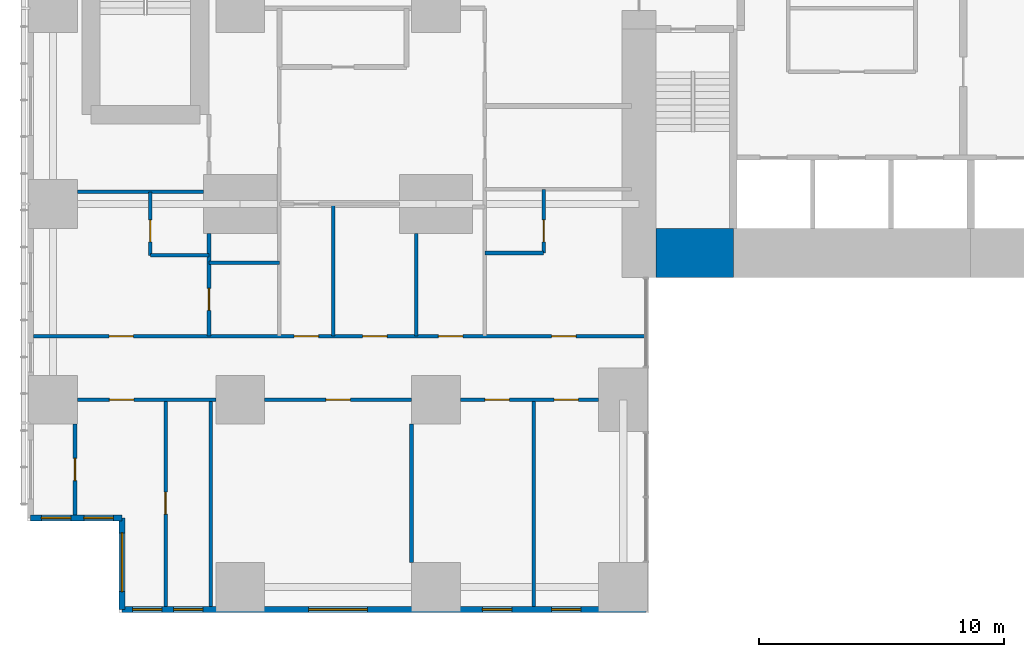
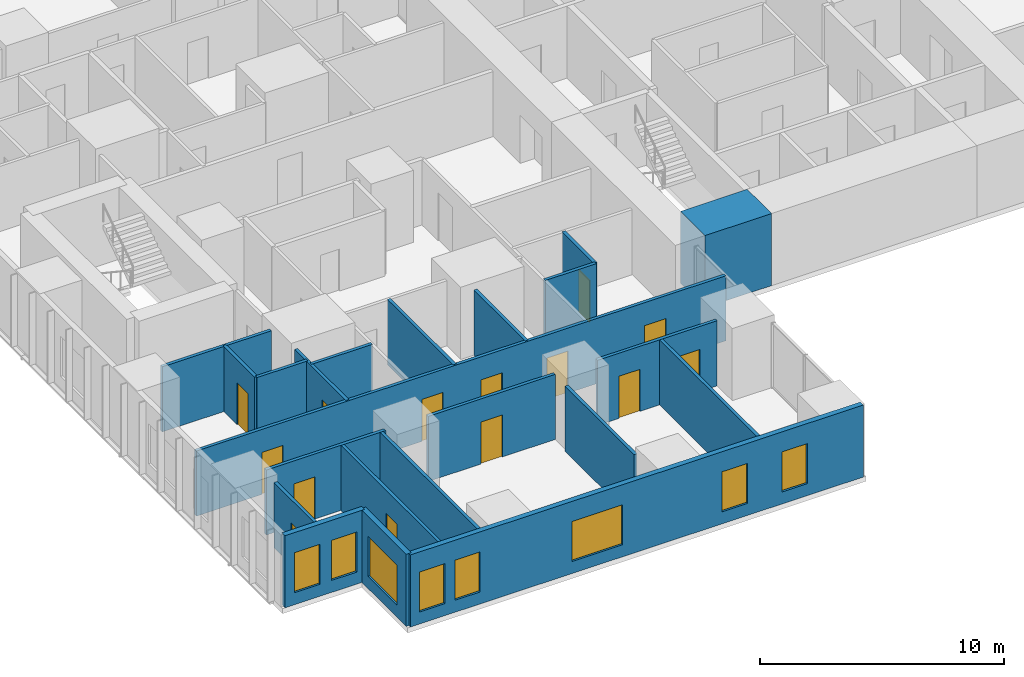
# One storey, part 12 of 20: 22 walls, 14 doors, 8 windows, 22 openings.
"""IFC4 building model written with IfcOpenShell, lengths in metres."""

import ifcopenshell
import ifcopenshell.guid

model = None  # the IFC model being written
_history = None  # IfcOwnerHistory: only IFC2X3 demands one
_inside = {}  # id of a spatial element -> (the spatial element, [elements in it])
_under = {}  # id of a project, library or spatial element -> (it, [spatial elements below it])
_declared = {}  # id of a project -> (the project, [libraries it declares])
_typed = {}  # id of a type object -> (the type object, [elements of that type])
_made_of = {}  # id of a material, layer set ... -> (it, [elements and type objects made of it])


def new_model(schema):
    """Start an empty IFC model of exactly this schema.

    Asked for "IFC4X3", IfcOpenShell would pick the latest addendum, in which some entities
    have other attributes; the version numbers below select the first issue.
    IFC2X3 requires an IfcOwnerHistory on every rooted entity: one is made here for all.
    """
    global model, _history
    if schema == "IFC4X3":
        model = ifcopenshell.file(schema_version=(4, 3, 0, 0))
    else:
        model = ifcopenshell.file(schema=schema)
    _inside.clear()
    _under.clear()
    _declared.clear()
    _typed.clear()
    _made_of.clear()
    _history = None
    if model.schema == "IFC2X3":
        org = make("IfcOrganization", Name="unknown")
        user = make(
            "IfcPersonAndOrganization",
            ThePerson=make("IfcPerson", FamilyName="unknown"),
            TheOrganization=org,
        )
        app = make(
            "IfcApplication",
            ApplicationDeveloper=org,
            Version="unknown",
            ApplicationFullName="unknown",
            ApplicationIdentifier="unknown",
        )
        _history = make(
            "IfcOwnerHistory",
            OwningUser=user,
            OwningApplication=app,
            ChangeAction="ADDED",
            CreationDate=0,
        )
    return model


def make(cls, **values):
    """One entity of the class cls with the attributes given. An attribute that is None is left unset."""
    return model.create_entity(
        cls, **{name: value for name, value in values.items() if value is not None}
    )


def rooted(cls, **values):
    """An entity with a GlobalId (a new one), such as an element, a storey or a relation."""
    return make(cls, GlobalId=ifcopenshell.guid.new(), OwnerHistory=_history, **values)


def si_unit(unit_type, name, prefix=None):
    """IfcSIUnit, for example si_unit("LENGTHUNIT", "METRE", prefix="MILLI")."""
    return make("IfcSIUnit", UnitType=unit_type, Prefix=prefix, Name=name)


def assignment(units):
    """IfcUnitAssignment: the units of a project."""
    return None if units is None else make("IfcUnitAssignment", Units=units)


def point(xyz):
    """IfcCartesianPoint."""
    return None if xyz is None else make("IfcCartesianPoint", Coordinates=xyz)


def direction(xyz):
    """IfcDirection."""
    return None if xyz is None else make("IfcDirection", DirectionRatios=xyz)


def frame(location, z_axis=None, x_axis=None):
    """IfcAxis2Placement3D, a coordinate frame: its origin and axes. An axis left out is left unset."""
    return make(
        "IfcAxis2Placement3D",
        Location=point(location),
        Axis=direction(z_axis),
        RefDirection=direction(x_axis),
    )


def frame_2d(location, x_axis=None):
    """IfcAxis2Placement2D, a coordinate frame in the plane: its origin and x axis."""
    return make(
        "IfcAxis2Placement2D", Location=point(location), RefDirection=direction(x_axis)
    )


def origin():
    """The frame at (0, 0, 0) with its axes left unset."""
    return frame((0.0, 0.0, 0.0))


def place(relative_to, where):
    """IfcLocalPlacement: puts the frame where relative to a parent placement (None: the world)."""
    return make(
        "IfcLocalPlacement", PlacementRelTo=relative_to, RelativePlacement=where
    )


def context(
    kind, dimensions, precision=None, world=None, true_north=None, identifier=None
):
    """IfcGeometricRepresentationContext, for example the 3D "Model" context."""
    return make(
        "IfcGeometricRepresentationContext",
        ContextIdentifier=identifier,
        ContextType=kind,
        CoordinateSpaceDimension=dimensions,
        Precision=precision,
        WorldCoordinateSystem=world,
        TrueNorth=true_north,
    )


def subcontext(parent, identifier, kind, view, scale=None):
    """IfcGeometricRepresentationSubContext, for example "Body" below "Model"."""
    return make(
        "IfcGeometricRepresentationSubContext",
        ContextIdentifier=identifier,
        ContextType=kind,
        ParentContext=parent,
        TargetScale=scale,
        TargetView=view,
    )


def project(units=None, contexts=None):
    """IfcProject with its units and contexts."""
    return rooted(
        "IfcProject",
        Name="project",
        RepresentationContexts=contexts,
        UnitsInContext=assignment(units),
    )


def spatial(cls, under=None, at=None, **own):
    """A site, building, storey or space (cls), placed at a placement, below another one or the project."""
    s = rooted(cls, ObjectPlacement=at, **own)
    if under is not None:
        _under.setdefault(under.id(), (under, []))[1].append(s)
    return s


def profile(cls, at=None, kind="AREA", **sizes):
    """A parametric profile (cls). Its sizes go by their IFC names, for example OverallWidth=200.0."""
    return make(cls, ProfileType=kind, Position=at, **sizes)


def rectangle(**sizes):
    """IfcRectangleProfileDef."""
    return profile("IfcRectangleProfileDef", **sizes)


def extrude(swept, where, along, depth):
    """IfcExtrudedAreaSolid: the profile swept, set in the frame where, extruded along a direction by depth."""
    return make(
        "IfcExtrudedAreaSolid",
        SweptArea=swept,
        Position=where,
        ExtrudedDirection=direction(along),
        Depth=depth,
    )


def shape(context_of_items, identifier, shape_type, items):
    """IfcShapeRepresentation: the items that make up one representation, for example the "Body"."""
    return make(
        "IfcShapeRepresentation",
        ContextOfItems=context_of_items,
        RepresentationIdentifier=identifier,
        RepresentationType=shape_type,
        Items=items,
    )


def material(Name=None, Category=None):
    """IfcMaterial."""
    return make("IfcMaterial", Name=Name, Category=Category)


def layer(
    of_material, thickness, ventilated=None, Name=None, Category=None, Priority=None
):
    """IfcMaterialLayer: one layer of a wall or slab, of a material (None: an air gap)."""
    return make(
        "IfcMaterialLayer",
        Material=of_material,
        LayerThickness=thickness,
        IsVentilated=ventilated,
        Name=Name,
        Category=Category,
        Priority=Priority,
    )


def layer_set(layers, Name=None):
    """IfcMaterialLayerSet."""
    return make("IfcMaterialLayerSet", MaterialLayers=layers, LayerSetName=Name)


def made_of(thing, what):
    """Note that an element or type object is made of a material, layer set ...; save() writes the relation."""
    if what is not None:
        _made_of.setdefault(what.id(), (what, []))[1].append(thing)
    return thing


def type_object(cls, material=None, **own):
    """A type object (cls), such as IfcWallType, which elements share."""
    return made_of(rooted(cls, **own), material)


def element(
    cls,
    number,
    at=None,
    inside=None,
    cuts=None,
    type_object=None,
    material=None,
    context=None,
    identifier="Body",
    shape_type=None,
    held_by="IfcProductDefinitionShape",
    body=None,
    shapes=None,
    **own,
):
    """One element of the class cls, such as IfcWall. Its Tag is "e" and its number.

    at: its placement. inside: the storey or other place that contains it. cuts: it is an
    opening in that element (IfcRelVoidsElement). A single representation is given by context,
    identifier, shape_type and body (its items); several are given by shapes. held_by: the class
    of the entity that holds the representations. save() writes the other relations.
    """
    e = rooted(cls, Tag="e%d" % number, ObjectPlacement=at, **own)
    if body is not None:
        shapes = [shape(context, identifier, shape_type, body)]
    if shapes is not None:
        e.Representation = make(held_by, Representations=shapes)
    if inside is not None:
        _inside.setdefault(inside.id(), (inside, []))[1].append(e)
    if cuts is not None:
        rooted(
            "IfcRelVoidsElement", RelatingBuildingElement=cuts, RelatedOpeningElement=e
        )
    if type_object is not None:
        _typed.setdefault(type_object.id(), (type_object, []))[1].append(e)
    return made_of(e, material)


def fill(opening, filler):
    """IfcRelFillsElement: the door or window that sits in an opening."""
    return rooted(
        "IfcRelFillsElement",
        RelatingOpeningElement=opening,
        RelatedBuildingElement=filler,
    )


def aggregate(whole, parts):
    """IfcRelAggregates: a whole, such as a stair, and the parts it consists of."""
    return rooted("IfcRelAggregates", RelatingObject=whole, RelatedObjects=parts)


def save(model, path):
    """Write the relations noted so far, then the file.

    IfcRelAggregates (storeys below a building ...), IfcRelContainedInSpatialStructure (elements
    in a storey), IfcRelDefinesByType, IfcRelAssociatesMaterial and IfcRelDeclares: one each for
    every whole, place, type object, material and project.
    """
    for whole, parts in _under.values():
        aggregate(whole, parts)
    for where, things in _inside.values():
        rooted(
            "IfcRelContainedInSpatialStructure",
            RelatedElements=things,
            RelatingStructure=where,
        )
    for kind, things in _typed.values():
        rooted("IfcRelDefinesByType", RelatedObjects=things, RelatingType=kind)
    for what, things in _made_of.values():
        rooted("IfcRelAssociatesMaterial", RelatedObjects=things, RelatingMaterial=what)
    for by, libraries in _declared.values():
        rooted("IfcRelDeclares", RelatingContext=by, RelatedDefinitions=libraries)
    model.write(path)


model = new_model("IFC4")

# Units and contexts
model_context = context("Model", 3, precision=1e-05, world=origin(), true_north=direction((0.0, 1.0)))
body_context = subcontext(model_context, "Body", "Model", "MODEL_VIEW")
ifc_project = project(units=[si_unit("LENGTHUNIT", "METRE"), si_unit("AREAUNIT", "SQUARE_METRE"), si_unit("VOLUMEUNIT", "CUBIC_METRE"), si_unit("PLANEANGLEUNIT", "RADIAN"), si_unit("MASSUNIT", "GRAM", prefix="KILO")], contexts=[model_context])

# Site, building, storey
site_placement = place(None, origin())
site = spatial("IfcSite", under=ifc_project, at=site_placement, CompositionType="ELEMENT")
building_placement = place(site_placement, origin())
building = spatial("IfcBuilding", under=site, at=building_placement, Name="Cleftline Residences", CompositionType="ELEMENT")
storey_placement = place(building_placement, frame((0.0, 0.0, 87.199951171875)))
storey = spatial("IfcBuildingStorey", under=building, at=storey_placement, Name="L22", CompositionType="ELEMENT", Elevation=87.199951171875)

# Wall
ifc_material_1 = material(Name="Concrete B70", Category="concrete")
ifc_layer_1 = layer(ifc_material_1, 2.0)
ifc_layer_set_1 = layer_set([ifc_layer_1], Name="CORE WALL 2000")
wall_type_1 = type_object("IfcWallType", Name="CORE WALL 2000", PredefinedType="SHEAR", material=ifc_layer_set_1)
wall_1_placement = place(storey_placement, frame((25.0, 14.0, 0.0), z_axis=(0.0, 0.0, 1.0), x_axis=(1.0, 0.0, 0.0)))
element("IfcWall", 1, at=wall_1_placement, inside=storey, type_object=wall_type_1, Name="Core wall S1", PredefinedType="SHEAR", context=body_context, shape_type="SweptSolid", body=[
    extrude(rectangle(XDim=3.14990234375, YDim=2.0, at=frame_2d((1.574951171875, 0.0))), origin(), (0.0, 0.0, 1.0), 3.60009765625),
])

# Wall, openings, windows
ifc_material_2 = material(Name="Rendered reinforced concrete blockwork", Category="masonry")
ifc_layer_2 = layer(ifc_material_2, 0.25)
ifc_layer_set_2 = layer_set([ifc_layer_2], Name="EXTERNAL WALL 250")
wall_type_2 = type_object("IfcWallType", Name="EXTERNAL WALL 250", PredefinedType="SOLIDWALL", material=ifc_layer_set_2)
wall_2_placement = place(storey_placement, frame((-0.574951171875, 3.175048828125, 0.0), z_axis=(0.0, 0.0, 1.0), x_axis=(1.0, 0.0, 0.0)))
wall_2 = element("IfcWall", 2, at=wall_2_placement, inside=storey, type_object=wall_type_2, Name="External wall", PredefinedType="SOLIDWALL", context=body_context, shape_type="SweptSolid", body=[
    extrude(rectangle(XDim=3.75, YDim=0.25, at=frame_2d((1.875, 0.0))), origin(), (0.0, 0.0, 1.0), 3.60009765625),
])
opening_1_placement = place(wall_2_placement, frame((0.449951171875, 0.0, 0.60009765625)))
opening_1 = element("IfcOpeningElement", 3, at=opening_1_placement, cuts=wall_2, Name="Opening W8", PredefinedType="OPENING", context=body_context, shape_type="SweptSolid", body=[
    extrude(rectangle(XDim=1.199951171875, YDim=2.0, at=frame_2d((0.60009765625, 1.0))), frame((0.0, 0.135009765625, 0.0), z_axis=(0.0, -1.0, 0.0), x_axis=(1.0, 0.0, 0.0)), (0.0, 0.0, 1.0), 0.27001953125),
])
opening_2_placement = place(wall_2_placement, frame((2.1875, 0.0, 0.60009765625)))
opening_2 = element("IfcOpeningElement", 4, at=opening_2_placement, cuts=wall_2, Name="Opening W8", PredefinedType="OPENING", context=body_context, shape_type="SweptSolid", body=[
    extrude(rectangle(XDim=1.199951171875, YDim=2.0, at=frame_2d((0.60009765625, 1.0))), frame((0.0, 0.135009765625, 0.0), z_axis=(0.0, -1.0, 0.0), x_axis=(1.0, 0.0, 0.0)), (0.0, 0.0, 1.0), 0.27001953125),
])
ifc_material_3 = material(Name="Aluminium frame, clear double glazing", Category="aluminium")
window_type_1 = type_object("IfcWindowType", Name="WINDOW 1200X2000", PartitioningType="DOUBLE_PANEL_VERTICAL", PredefinedType="WINDOW", material=ifc_material_3)
window_1_placement = place(opening_1_placement, origin())
window_1 = element("IfcWindow", 5, at=window_1_placement, inside=storey, type_object=window_type_1, Name="Window", OverallHeight=2.0, OverallWidth=1.199951171875, PartitioningType="SINGLE_PANEL", PredefinedType="WINDOW", context=body_context, shape_type="SweptSolid", body=[
    extrude(rectangle(XDim=1.199951171875, YDim=2.0, at=frame_2d((0.60009765625, 1.0))), frame((0.0, 0.030029296875, 0.0), z_axis=(0.0, -1.0, 0.0), x_axis=(1.0, 0.0, 0.0)), (0.0, 0.0, 1.0), 0.06005859375),
])
fill(opening_1, window_1)
window_2_placement = place(opening_2_placement, origin())
window_2 = element("IfcWindow", 6, at=window_2_placement, inside=storey, type_object=window_type_1, Name="Window", OverallHeight=2.0, OverallWidth=1.199951171875, PartitioningType="SINGLE_PANEL", PredefinedType="WINDOW", context=body_context, shape_type="SweptSolid", body=[
    extrude(rectangle(XDim=1.199951171875, YDim=2.0, at=frame_2d((0.60009765625, 1.0))), frame((0.0, 0.030029296875, 0.0), z_axis=(0.0, -1.0, 0.0), x_axis=(1.0, 0.0, 0.0)), (0.0, 0.0, 1.0), 0.06005859375),
])
fill(opening_2, window_2)

# Wall, opening, window
wall_3_placement = place(storey_placement, frame((3.175048828125, 3.175048828125, 0.0), z_axis=(0.0, 0.0, 1.0), x_axis=(0.0, -1.0, 0.0)))
wall_3 = element("IfcWall", 7, at=wall_3_placement, inside=storey, type_object=wall_type_2, Name="External wall", PredefinedType="SOLIDWALL", context=body_context, shape_type="SweptSolid", body=[
    extrude(rectangle(XDim=3.75, YDim=0.25, at=frame_2d((1.875, 0.0))), origin(), (0.0, 0.0, 1.0), 3.60009765625),
])
opening_3_placement = place(wall_3_placement, frame((0.612548828125, 0.0, 0.60009765625)))
opening_3 = element("IfcOpeningElement", 8, at=opening_3_placement, cuts=wall_3, Name="Opening W6", PredefinedType="OPENING", context=body_context, shape_type="SweptSolid", body=[
    extrude(rectangle(XDim=2.39990234375, YDim=2.0, at=frame_2d((1.199951171875, 1.0))), frame((0.0, 0.135009765625, 0.0), z_axis=(0.0, -1.0, 0.0), x_axis=(1.0, 0.0, 0.0)), (0.0, 0.0, 1.0), 0.27001953125),
])
ifc_material_4 = material(Name="Aluminium frame, clear double glazing", Category="aluminium")
window_type_2 = type_object("IfcWindowType", Name="WINDOW 2400X2000", PartitioningType="DOUBLE_PANEL_VERTICAL", PredefinedType="WINDOW", material=ifc_material_4)
window_3_placement = place(opening_3_placement, origin())
window_3 = element("IfcWindow", 9, at=window_3_placement, inside=storey, type_object=window_type_2, Name="Window", OverallHeight=2.0, OverallWidth=2.39990234375, PartitioningType="SINGLE_PANEL", PredefinedType="WINDOW", context=body_context, shape_type="SweptSolid", body=[
    extrude(rectangle(XDim=2.39990234375, YDim=2.0, at=frame_2d((1.199951171875, 1.0))), frame((0.0, 0.030029296875, 0.0), z_axis=(0.0, -1.0, 0.0), x_axis=(1.0, 0.0, 0.0)), (0.0, 0.0, 1.0), 0.06005859375),
])
fill(opening_3, window_3)

# Wall, openings, windows
wall_4_placement = place(storey_placement, frame((3.175048828125, -0.574951171875, 0.0), z_axis=(0.0, 0.0, 1.0), x_axis=(1.0, 0.0, 0.0)))
wall_4 = element("IfcWall", 10, at=wall_4_placement, inside=storey, type_object=wall_type_2, Name="External wall", PredefinedType="SOLIDWALL", context=body_context, shape_type="SweptSolid", body=[
    extrude(rectangle(XDim=21.39990234375, YDim=0.25, at=frame_2d((10.699951171875, 0.0))), origin(), (0.0, 0.0, 1.0), 3.60009765625),
])
opening_4_placement = place(wall_4_placement, frame((0.425048828125, 0.0, 0.60009765625)))
opening_4 = element("IfcOpeningElement", 11, at=opening_4_placement, cuts=wall_4, Name="Opening W8", PredefinedType="OPENING", context=body_context, shape_type="SweptSolid", body=[
    extrude(rectangle(XDim=1.199951171875, YDim=2.0, at=frame_2d((0.60009765625, 1.0))), frame((0.0, 0.135009765625, 0.0), z_axis=(0.0, -1.0, 0.0), x_axis=(1.0, 0.0, 0.0)), (0.0, 0.0, 1.0), 0.27001953125),
])
opening_5_placement = place(wall_4_placement, frame((2.10009765625, 0.0, 0.60009765625)))
opening_5 = element("IfcOpeningElement", 12, at=opening_5_placement, cuts=wall_4, Name="Opening W8", PredefinedType="OPENING", context=body_context, shape_type="SweptSolid", body=[
    extrude(rectangle(XDim=1.199951171875, YDim=2.0, at=frame_2d((0.60009765625, 1.0))), frame((0.0, 0.135009765625, 0.0), z_axis=(0.0, -1.0, 0.0), x_axis=(1.0, 0.0, 0.0)), (0.0, 0.0, 1.0), 0.27001953125),
])
opening_6_placement = place(wall_4_placement, frame((7.625, 0.0, 0.60009765625)))
opening_6 = element("IfcOpeningElement", 13, at=opening_6_placement, cuts=wall_4, Name="Opening W6", PredefinedType="OPENING", context=body_context, shape_type="SweptSolid", body=[
    extrude(rectangle(XDim=2.39990234375, YDim=2.0, at=frame_2d((1.199951171875, 1.0))), frame((0.0, 0.135009765625, 0.0), z_axis=(0.0, -1.0, 0.0), x_axis=(1.0, 0.0, 0.0)), (0.0, 0.0, 1.0), 0.27001953125),
])
opening_7_placement = place(wall_4_placement, frame((14.72509765625, 0.0, 0.60009765625)))
opening_7 = element("IfcOpeningElement", 14, at=opening_7_placement, cuts=wall_4, Name="Opening W8", PredefinedType="OPENING", context=body_context, shape_type="SweptSolid", body=[
    extrude(rectangle(XDim=1.199951171875, YDim=2.0, at=frame_2d((0.60009765625, 1.0))), frame((0.0, 0.135009765625, 0.0), z_axis=(0.0, -1.0, 0.0), x_axis=(1.0, 0.0, 0.0)), (0.0, 0.0, 1.0), 0.27001953125),
])
opening_8_placement = place(wall_4_placement, frame((17.550048828125, 0.0, 0.60009765625)))
opening_8 = element("IfcOpeningElement", 15, at=opening_8_placement, cuts=wall_4, Name="Opening W8", PredefinedType="OPENING", context=body_context, shape_type="SweptSolid", body=[
    extrude(rectangle(XDim=1.199951171875, YDim=2.0, at=frame_2d((0.60009765625, 1.0))), frame((0.0, 0.135009765625, 0.0), z_axis=(0.0, -1.0, 0.0), x_axis=(1.0, 0.0, 0.0)), (0.0, 0.0, 1.0), 0.27001953125),
])
window_4_placement = place(opening_4_placement, origin())
window_4 = element("IfcWindow", 16, at=window_4_placement, inside=storey, type_object=window_type_1, Name="Window", OverallHeight=2.0, OverallWidth=1.199951171875, PartitioningType="SINGLE_PANEL", PredefinedType="WINDOW", context=body_context, shape_type="SweptSolid", body=[
    extrude(rectangle(XDim=1.199951171875, YDim=2.0, at=frame_2d((0.60009765625, 1.0))), frame((0.0, 0.030029296875, 0.0), z_axis=(0.0, -1.0, 0.0), x_axis=(1.0, 0.0, 0.0)), (0.0, 0.0, 1.0), 0.06005859375),
])
fill(opening_4, window_4)
window_5_placement = place(opening_5_placement, origin())
window_5 = element("IfcWindow", 17, at=window_5_placement, inside=storey, type_object=window_type_1, Name="Window", OverallHeight=2.0, OverallWidth=1.199951171875, PartitioningType="SINGLE_PANEL", PredefinedType="WINDOW", context=body_context, shape_type="SweptSolid", body=[
    extrude(rectangle(XDim=1.199951171875, YDim=2.0, at=frame_2d((0.60009765625, 1.0))), frame((0.0, 0.030029296875, 0.0), z_axis=(0.0, -1.0, 0.0), x_axis=(1.0, 0.0, 0.0)), (0.0, 0.0, 1.0), 0.06005859375),
])
fill(opening_5, window_5)
window_6_placement = place(opening_7_placement, origin())
window_6 = element("IfcWindow", 18, at=window_6_placement, inside=storey, type_object=window_type_1, Name="Window", OverallHeight=2.0, OverallWidth=1.199951171875, PartitioningType="SINGLE_PANEL", PredefinedType="WINDOW", context=body_context, shape_type="SweptSolid", body=[
    extrude(rectangle(XDim=1.199951171875, YDim=2.0, at=frame_2d((0.60009765625, 1.0))), frame((0.0, 0.030029296875, 0.0), z_axis=(0.0, -1.0, 0.0), x_axis=(1.0, 0.0, 0.0)), (0.0, 0.0, 1.0), 0.06005859375),
])
fill(opening_7, window_6)
window_7_placement = place(opening_8_placement, origin())
window_7 = element("IfcWindow", 19, at=window_7_placement, inside=storey, type_object=window_type_1, Name="Window", OverallHeight=2.0, OverallWidth=1.199951171875, PartitioningType="SINGLE_PANEL", PredefinedType="WINDOW", context=body_context, shape_type="SweptSolid", body=[
    extrude(rectangle(XDim=1.199951171875, YDim=2.0, at=frame_2d((0.60009765625, 1.0))), frame((0.0, 0.030029296875, 0.0), z_axis=(0.0, -1.0, 0.0), x_axis=(1.0, 0.0, 0.0)), (0.0, 0.0, 1.0), 0.06005859375),
])
fill(opening_8, window_7)
window_8_placement = place(opening_6_placement, origin())
window_8 = element("IfcWindow", 20, at=window_8_placement, inside=storey, type_object=window_type_2, Name="Window", OverallHeight=2.0, OverallWidth=2.39990234375, PartitioningType="SINGLE_PANEL", PredefinedType="WINDOW", context=body_context, shape_type="SweptSolid", body=[
    extrude(rectangle(XDim=2.39990234375, YDim=2.0, at=frame_2d((1.199951171875, 1.0))), frame((0.0, 0.030029296875, 0.0), z_axis=(0.0, -1.0, 0.0), x_axis=(1.0, 0.0, 0.0)), (0.0, 0.0, 1.0), 0.06005859375),
])
fill(opening_6, window_8)

# Wall, opening, door
ifc_material_5 = material(Name="Gypsum board on steel studs", Category="steel")
ifc_layer_3 = layer(ifc_material_5, 0.14990234375)
ifc_layer_set_3 = layer_set([ifc_layer_3], Name="PARTITION 150")
wall_type_3 = type_object("IfcWallType", Name="PARTITION 150", PredefinedType="PARTITIONING", material=ifc_layer_set_3)
wall_5_placement = place(storey_placement, frame((1.35009765625, 8.0, 0.0), z_axis=(0.0, 0.0, 1.0), x_axis=(1.0, 0.0, 0.0)))
wall_5 = element("IfcWall", 21, at=wall_5_placement, inside=storey, type_object=wall_type_3, Name="Partition", PredefinedType="PARTITIONING", context=body_context, shape_type="SweptSolid", body=[
    extrude(rectangle(XDim=5.64990234375, YDim=0.14990234375, at=frame_2d((2.824951171875, 0.0))), origin(), (0.0, 0.0, 1.0), 3.25),
])
opening_9_placement = place(wall_5_placement, frame((1.300048828125, 0.0, 0.0)))
opening_9 = element("IfcOpeningElement", 22, at=opening_9_placement, cuts=wall_5, Name="Opening D2", PredefinedType="OPENING", context=body_context, shape_type="SweptSolid", body=[
    extrude(rectangle(XDim=1.0, YDim=2.10009765625, at=frame_2d((0.5, 1.050048828125))), frame((0.0, 0.0849609375, 0.0), z_axis=(0.0, -1.0, 0.0), x_axis=(1.0, 0.0, 0.0)), (0.0, 0.0, 1.0), 0.169921875),
])
ifc_material_6 = material(Name="Timber veneer on solid core", Category="wood")
door_type_1 = type_object("IfcDoorType", Name="DOOR 1000X2100", OperationType="SINGLE_SWING_LEFT", PredefinedType="DOOR", material=ifc_material_6)
door_1_placement = place(opening_9_placement, origin())
door_1 = element("IfcDoor", 23, at=door_1_placement, inside=storey, type_object=door_type_1, Name="Door to bedroom 2", OperationType="SINGLE_SWING_RIGHT", OverallHeight=2.10009765625, OverallWidth=1.0, PredefinedType="DOOR", context=body_context, shape_type="SweptSolid", body=[
    extrude(rectangle(XDim=1.0, YDim=2.10009765625, at=frame_2d((0.5, 1.050048828125))), frame((0.0, 0.02490234375, 0.0), z_axis=(0.0, -1.0, 0.0), x_axis=(1.0, 0.0, 0.0)), (0.0, 0.0, 1.0), 0.050048828125),
])
fill(opening_9, door_1)

wall_6_placement = place(storey_placement, frame((9.0, 8.0, 0.0), z_axis=(0.0, 0.0, 1.0), x_axis=(1.0, 0.0, 0.0)))
wall_6 = element("IfcWall", 24, at=wall_6_placement, inside=storey, type_object=wall_type_3, Name="Partition", PredefinedType="PARTITIONING", context=body_context, shape_type="SweptSolid", body=[
    extrude(rectangle(XDim=6.0, YDim=0.14990234375, at=frame_2d((3.0, 0.0))), origin(), (0.0, 0.0, 1.0), 3.25),
])
opening_10_placement = place(wall_6_placement, frame((2.5, 0.0, 0.0)))
opening_10 = element("IfcOpeningElement", 25, at=opening_10_placement, cuts=wall_6, Name="Opening D2", PredefinedType="OPENING", context=body_context, shape_type="SweptSolid", body=[
    extrude(rectangle(XDim=1.0, YDim=2.10009765625, at=frame_2d((0.5, 1.050048828125))), frame((0.0, 0.0849609375, 0.0), z_axis=(0.0, -1.0, 0.0), x_axis=(1.0, 0.0, 0.0)), (0.0, 0.0, 1.0), 0.169921875),
])
door_2_placement = place(opening_10_placement, origin())
door_2 = element("IfcDoor", 26, at=door_2_placement, inside=storey, type_object=door_type_1, Name="Door to living room", OperationType="SINGLE_SWING_LEFT", OverallHeight=2.10009765625, OverallWidth=1.0, PredefinedType="DOOR", context=body_context, shape_type="SweptSolid", body=[
    extrude(rectangle(XDim=1.0, YDim=2.10009765625, at=frame_2d((0.5, 1.050048828125))), frame((0.0, 0.02490234375, 0.0), z_axis=(0.0, -1.0, 0.0), x_axis=(1.0, 0.0, 0.0)), (0.0, 0.0, 1.0), 0.050048828125),
])
fill(opening_10, door_2)

# Wall, openings, doors
wall_7_placement = place(storey_placement, frame((17.0, 8.0, 0.0), z_axis=(0.0, 0.0, 1.0), x_axis=(1.0, 0.0, 0.0)))
wall_7 = element("IfcWall", 27, at=wall_7_placement, inside=storey, type_object=wall_type_3, Name="Partition", PredefinedType="PARTITIONING", context=body_context, shape_type="SweptSolid", body=[
    extrude(rectangle(XDim=5.64990234375, YDim=0.14990234375, at=frame_2d((2.824951171875, 0.0))), origin(), (0.0, 0.0, 1.0), 3.25),
])
opening_11_placement = place(wall_7_placement, frame((1.0, 0.0, 0.0)))
opening_11 = element("IfcOpeningElement", 28, at=opening_11_placement, cuts=wall_7, Name="Opening D2", PredefinedType="OPENING", context=body_context, shape_type="SweptSolid", body=[
    extrude(rectangle(XDim=1.0, YDim=2.10009765625, at=frame_2d((0.5, 1.050048828125))), frame((0.0, 0.0849609375, 0.0), z_axis=(0.0, -1.0, 0.0), x_axis=(1.0, 0.0, 0.0)), (0.0, 0.0, 1.0), 0.169921875),
])
opening_12_placement = place(wall_7_placement, frame((3.824951171875, 0.0, 0.0)))
opening_12 = element("IfcOpeningElement", 29, at=opening_12_placement, cuts=wall_7, Name="Opening D2", PredefinedType="OPENING", context=body_context, shape_type="SweptSolid", body=[
    extrude(rectangle(XDim=1.0, YDim=2.10009765625, at=frame_2d((0.5, 1.050048828125))), frame((0.0, 0.0849609375, 0.0), z_axis=(0.0, -1.0, 0.0), x_axis=(1.0, 0.0, 0.0)), (0.0, 0.0, 1.0), 0.169921875),
])
door_3_placement = place(opening_11_placement, origin())
door_3 = element("IfcDoor", 30, at=door_3_placement, inside=storey, type_object=door_type_1, Name="Door to dining room", OperationType="SINGLE_SWING_RIGHT", OverallHeight=2.10009765625, OverallWidth=1.0, PredefinedType="DOOR", context=body_context, shape_type="SweptSolid", body=[
    extrude(rectangle(XDim=1.0, YDim=2.10009765625, at=frame_2d((0.5, 1.050048828125))), frame((0.0, 0.02490234375, 0.0), z_axis=(0.0, -1.0, 0.0), x_axis=(1.0, 0.0, 0.0)), (0.0, 0.0, 1.0), 0.050048828125),
])
fill(opening_11, door_3)
door_4_placement = place(opening_12_placement, origin())
door_4 = element("IfcDoor", 31, at=door_4_placement, inside=storey, type_object=door_type_1, Name="Door to show kitchen", OperationType="SINGLE_SWING_LEFT", OverallHeight=2.10009765625, OverallWidth=1.0, PredefinedType="DOOR", context=body_context, shape_type="SweptSolid", body=[
    extrude(rectangle(XDim=1.0, YDim=2.10009765625, at=frame_2d((0.5, 1.050048828125))), frame((0.0, 0.02490234375, 0.0), z_axis=(0.0, -1.0, 0.0), x_axis=(1.0, 0.0, 0.0)), (0.0, 0.0, 1.0), 0.050048828125),
])
fill(opening_12, door_4)

wall_8_placement = place(storey_placement, frame((-0.449951171875, 10.60009765625, 0.0), z_axis=(0.0, 0.0, 1.0), x_axis=(1.0, 0.0, 0.0)))
wall_8 = element("IfcWall", 32, at=wall_8_placement, inside=storey, type_object=wall_type_3, Name="Partition", PredefinedType="PARTITIONING", context=body_context, shape_type="SweptSolid", body=[
    extrude(rectangle(XDim=25.010986328125, YDim=0.14990234375, at=frame_2d((12.50537109375, 0.0))), origin(), (0.0, 0.0, 1.0), 3.25),
])
opening_13_placement = place(wall_8_placement, frame((10.64990234375, 0.0, 0.0)))
opening_13 = element("IfcOpeningElement", 33, at=opening_13_placement, cuts=wall_8, Name="Opening D2", PredefinedType="OPENING", context=body_context, shape_type="SweptSolid", body=[
    extrude(rectangle(XDim=1.0, YDim=2.10009765625, at=frame_2d((0.5, 1.050048828125))), frame((0.0, 0.0849609375, 0.0), z_axis=(0.0, -1.0, 0.0), x_axis=(1.0, 0.0, 0.0)), (0.0, 0.0, 1.0), 0.169921875),
])
opening_14_placement = place(wall_8_placement, frame((3.08740234375, 0.0, 0.0)))
opening_14 = element("IfcOpeningElement", 34, at=opening_14_placement, cuts=wall_8, Name="Opening D2", PredefinedType="OPENING", context=body_context, shape_type="SweptSolid", body=[
    extrude(rectangle(XDim=1.0, YDim=2.10009765625, at=frame_2d((0.5, 1.050048828125))), frame((0.0, 0.0849609375, 0.0), z_axis=(0.0, -1.0, 0.0), x_axis=(1.0, 0.0, 0.0)), (0.0, 0.0, 1.0), 0.169921875),
])
opening_15_placement = place(wall_8_placement, frame((13.449951171875, 0.0, 0.0)))
opening_15 = element("IfcOpeningElement", 35, at=opening_15_placement, cuts=wall_8, Name="Opening D2", PredefinedType="OPENING", context=body_context, shape_type="SweptSolid", body=[
    extrude(rectangle(XDim=1.0, YDim=2.10009765625, at=frame_2d((0.5, 1.050048828125))), frame((0.0, 0.0849609375, 0.0), z_axis=(0.0, -1.0, 0.0), x_axis=(1.0, 0.0, 0.0)), (0.0, 0.0, 1.0), 0.169921875),
])
opening_16_placement = place(wall_8_placement, frame((16.550048828125, 0.0, 0.0)))
opening_16 = element("IfcOpeningElement", 36, at=opening_16_placement, cuts=wall_8, Name="Opening D2", PredefinedType="OPENING", context=body_context, shape_type="SweptSolid", body=[
    extrude(rectangle(XDim=1.0, YDim=2.10009765625, at=frame_2d((0.5, 1.050048828125))), frame((0.0, 0.0849609375, 0.0), z_axis=(0.0, -1.0, 0.0), x_axis=(1.0, 0.0, 0.0)), (0.0, 0.0, 1.0), 0.169921875),
])
opening_17_placement = place(wall_8_placement, frame((21.175048828125, 0.0, 0.0)))
opening_17 = element("IfcOpeningElement", 37, at=opening_17_placement, cuts=wall_8, Name="Opening D2", PredefinedType="OPENING", context=body_context, shape_type="SweptSolid", body=[
    extrude(rectangle(XDim=1.0, YDim=2.10009765625, at=frame_2d((0.5, 1.050048828125))), frame((0.0, 0.0849609375, 0.0), z_axis=(0.0, -1.0, 0.0), x_axis=(1.0, 0.0, 0.0)), (0.0, 0.0, 1.0), 0.169921875),
])
door_5_placement = place(opening_13_placement, origin())
door_5 = element("IfcDoor", 38, at=door_5_placement, inside=storey, type_object=door_type_1, Name="Door to residence hall", OperationType="SINGLE_SWING_RIGHT", OverallHeight=2.10009765625, OverallWidth=1.0, PredefinedType="DOOR", context=body_context, shape_type="SweptSolid", body=[
    extrude(rectangle(XDim=1.0, YDim=2.10009765625, at=frame_2d((0.5, 1.050048828125))), frame((0.0, 0.02490234375, 0.0), z_axis=(0.0, -1.0, 0.0), x_axis=(1.0, 0.0, 0.0)), (0.0, 0.0, 1.0), 0.050048828125),
])
fill(opening_13, door_5)
door_6_placement = place(opening_14_placement, origin())
door_6 = element("IfcDoor", 39, at=door_6_placement, inside=storey, type_object=door_type_1, Name="Door to master bedroom", OperationType="SINGLE_SWING_RIGHT", OverallHeight=2.10009765625, OverallWidth=1.0, PredefinedType="DOOR", context=body_context, shape_type="SweptSolid", body=[
    extrude(rectangle(XDim=1.0, YDim=2.10009765625, at=frame_2d((0.5, 1.050048828125))), frame((0.0, 0.02490234375, 0.0), z_axis=(0.0, -1.0, 0.0), x_axis=(1.0, 0.0, 0.0)), (0.0, 0.0, 1.0), 0.050048828125),
])
fill(opening_14, door_6)
door_7_placement = place(opening_15_placement, origin())
door_7 = element("IfcDoor", 40, at=door_7_placement, inside=storey, type_object=door_type_1, Name="Door to family room", OperationType="SINGLE_SWING_LEFT", OverallHeight=2.10009765625, OverallWidth=1.0, PredefinedType="DOOR", context=body_context, shape_type="SweptSolid", body=[
    extrude(rectangle(XDim=1.0, YDim=2.10009765625, at=frame_2d((0.5, 1.050048828125))), frame((0.0, 0.02490234375, 0.0), z_axis=(0.0, -1.0, 0.0), x_axis=(1.0, 0.0, 0.0)), (0.0, 0.0, 1.0), 0.050048828125),
])
fill(opening_15, door_7)
door_8_placement = place(opening_16_placement, origin())
door_8 = element("IfcDoor", 41, at=door_8_placement, inside=storey, type_object=door_type_1, Name="Door to wet kitchen", OperationType="SINGLE_SWING_LEFT", OverallHeight=2.10009765625, OverallWidth=1.0, PredefinedType="DOOR", context=body_context, shape_type="SweptSolid", body=[
    extrude(rectangle(XDim=1.0, YDim=2.10009765625, at=frame_2d((0.5, 1.050048828125))), frame((0.0, 0.02490234375, 0.0), z_axis=(0.0, -1.0, 0.0), x_axis=(1.0, 0.0, 0.0)), (0.0, 0.0, 1.0), 0.050048828125),
])
fill(opening_16, door_8)
door_9_placement = place(opening_17_placement, origin())
door_9 = element("IfcDoor", 42, at=door_9_placement, inside=storey, type_object=door_type_1, Name="Door to bedroom 3", OperationType="SINGLE_SWING_LEFT", OverallHeight=2.10009765625, OverallWidth=1.0, PredefinedType="DOOR", context=body_context, shape_type="SweptSolid", body=[
    extrude(rectangle(XDim=1.0, YDim=2.10009765625, at=frame_2d((0.5, 1.050048828125))), frame((0.0, 0.02490234375, 0.0), z_axis=(0.0, -1.0, 0.0), x_axis=(1.0, 0.0, 0.0)), (0.0, 0.0, 1.0), 0.050048828125),
])
fill(opening_17, door_9)

# Walls
wall_9_placement = place(storey_placement, frame((6.72509765625, 13.60009765625, 0.0), z_axis=(0.0, 0.0, 1.0), x_axis=(1.0, 0.0, 0.0)))
element("IfcWall", 43, at=wall_9_placement, inside=storey, type_object=wall_type_3, Name="Partition", PredefinedType="PARTITIONING", context=body_context, shape_type="SweptSolid", body=[
    extrude(rectangle(XDim=2.875, YDim=0.14990234375, at=frame_2d((1.4375, 0.0))), origin(), (0.0, 0.0, 1.0), 3.25),
])
wall_10_placement = place(storey_placement, frame((4.324951171875, 13.89990234375, 0.0), z_axis=(0.0, 0.0, 1.0), x_axis=(1.0, 0.0, 0.0)))
element("IfcWall", 44, at=wall_10_placement, inside=storey, type_object=wall_type_3, Name="Partition", PredefinedType="PARTITIONING", context=body_context, shape_type="SweptSolid", body=[
    extrude(rectangle(XDim=2.400146484375, YDim=0.14990234375, at=frame_2d((1.2001953125, 0.0))), origin(), (0.0, 0.0, 1.0), 3.25),
])
wall_11_placement = place(storey_placement, frame((18.0, 14.0, 0.0), z_axis=(0.0, 0.0, 1.0), x_axis=(1.0, 0.0, 0.0)))
element("IfcWall", 45, at=wall_11_placement, inside=storey, type_object=wall_type_3, Name="Partition", PredefinedType="PARTITIONING", context=body_context, shape_type="SweptSolid", body=[
    extrude(rectangle(XDim=2.39990234375, YDim=0.14990234375, at=frame_2d((1.199951171875, 0.0))), origin(), (0.0, 0.0, 1.0), 3.25),
])
wall_12_placement = place(storey_placement, frame((1.35009765625, 16.5, 0.0), z_axis=(0.0, 0.0, 1.0), x_axis=(1.0, 0.0, 0.0)))
element("IfcWall", 46, at=wall_12_placement, inside=storey, type_object=wall_type_3, Name="Partition", PredefinedType="PARTITIONING", context=body_context, shape_type="SweptSolid", body=[
    extrude(rectangle(XDim=5.14990234375, YDim=0.14990234375, at=frame_2d((2.574951171875, 0.0))), origin(), (0.0, 0.0, 1.0), 3.25),
])

# Wall, opening, door
wall_13_placement = place(storey_placement, frame((1.25, 3.300048828125, 0.0), z_axis=(0.0, 0.0, 1.0), x_axis=(0.0, 1.0, 0.0)))
wall_13 = element("IfcWall", 47, at=wall_13_placement, inside=storey, type_object=wall_type_3, Name="Partition", PredefinedType="PARTITIONING", context=body_context, shape_type="SweptSolid", body=[
    extrude(rectangle(XDim=3.699951171875, YDim=0.14990234375, at=frame_2d((1.85009765625, 0.0))), origin(), (0.0, 0.0, 1.0), 3.25),
])
opening_18_placement = place(wall_13_placement, frame((1.39990234375, 0.0, 0.0)))
opening_18 = element("IfcOpeningElement", 48, at=opening_18_placement, cuts=wall_13, Name="Opening D1", PredefinedType="OPENING", context=body_context, shape_type="SweptSolid", body=[
    extrude(rectangle(XDim=0.89990234375, YDim=2.10009765625, at=frame_2d((0.449951171875, 1.050048828125))), frame((0.0, 0.0849609375, 0.0), z_axis=(0.0, -1.0, 0.0), x_axis=(1.0, 0.0, 0.0)), (0.0, 0.0, 1.0), 0.169921875),
])
ifc_material_7 = material(Name="Timber veneer on solid core", Category="wood")
door_type_2 = type_object("IfcDoorType", Name="DOOR 900X2100", OperationType="SINGLE_SWING_LEFT", PredefinedType="DOOR", material=ifc_material_7)
door_10_placement = place(opening_18_placement, origin())
door_10 = element("IfcDoor", 49, at=door_10_placement, inside=storey, type_object=door_type_2, Name="Door to walk-in wardrobe", OperationType="SINGLE_SWING_LEFT", OverallHeight=2.10009765625, OverallWidth=0.89990234375, PredefinedType="DOOR", context=body_context, shape_type="SweptSolid", body=[
    extrude(rectangle(XDim=0.89990234375, YDim=2.10009765625, at=frame_2d((0.449951171875, 1.050048828125))), frame((0.0, 0.02490234375, 0.0), z_axis=(0.0, -1.0, 0.0), x_axis=(1.0, 0.0, 0.0)), (0.0, 0.0, 1.0), 0.050048828125),
])
fill(opening_18, door_10)

wall_14_placement = place(storey_placement, frame((4.324951171875, 13.89990234375, 0.0), z_axis=(0.0, 0.0, 1.0), x_axis=(0.0, 1.0, 0.0)))
wall_14 = element("IfcWall", 50, at=wall_14_placement, inside=storey, type_object=wall_type_3, Name="Partition", PredefinedType="PARTITIONING", context=body_context, shape_type="SweptSolid", body=[
    extrude(rectangle(XDim=2.60009765625, YDim=0.14990234375, at=frame_2d((1.300048828125, 0.0))), origin(), (0.0, 0.0, 1.0), 3.25),
])
opening_19_placement = place(wall_14_placement, frame((0.550048828125, 0.0, 0.0)))
opening_19 = element("IfcOpeningElement", 51, at=opening_19_placement, cuts=wall_14, Name="Opening D1", PredefinedType="OPENING", context=body_context, shape_type="SweptSolid", body=[
    extrude(rectangle(XDim=0.89990234375, YDim=2.10009765625, at=frame_2d((0.449951171875, 1.050048828125))), frame((0.0, 0.0849609375, 0.0), z_axis=(0.0, -1.0, 0.0), x_axis=(1.0, 0.0, 0.0)), (0.0, 0.0, 1.0), 0.169921875),
])
door_11_placement = place(opening_19_placement, origin())
door_11 = element("IfcDoor", 52, at=door_11_placement, inside=storey, type_object=door_type_2, Name="Door to master bathroom", OperationType="SINGLE_SWING_RIGHT", OverallHeight=2.10009765625, OverallWidth=0.89990234375, PredefinedType="DOOR", context=body_context, shape_type="SweptSolid", body=[
    extrude(rectangle(XDim=0.89990234375, YDim=2.10009765625, at=frame_2d((0.449951171875, 1.050048828125))), frame((0.0, 0.02490234375, 0.0), z_axis=(0.0, -1.0, 0.0), x_axis=(1.0, 0.0, 0.0)), (0.0, 0.0, 1.0), 0.050048828125),
])
fill(opening_19, door_11)

wall_15_placement = place(storey_placement, frame((4.949951171875, -0.449951171875, 0.0), z_axis=(0.0, 0.0, 1.0), x_axis=(0.0, 1.0, 0.0)))
wall_15 = element("IfcWall", 53, at=wall_15_placement, inside=storey, type_object=wall_type_3, Name="Partition", PredefinedType="PARTITIONING", context=body_context, shape_type="SweptSolid", body=[
    extrude(rectangle(XDim=8.449951171875, YDim=0.14990234375, at=frame_2d((4.22509765625, 0.0))), origin(), (0.0, 0.0, 1.0), 3.25),
])
opening_20_placement = place(wall_15_placement, frame((3.77490234375, 0.0, 0.0)))
opening_20 = element("IfcOpeningElement", 54, at=opening_20_placement, cuts=wall_15, Name="Opening D1", PredefinedType="OPENING", context=body_context, shape_type="SweptSolid", body=[
    extrude(rectangle(XDim=0.89990234375, YDim=2.10009765625, at=frame_2d((0.449951171875, 1.050048828125))), frame((0.0, 0.0849609375, 0.0), z_axis=(0.0, -1.0, 0.0), x_axis=(1.0, 0.0, 0.0)), (0.0, 0.0, 1.0), 0.169921875),
])
door_12_placement = place(opening_20_placement, origin())
door_12 = element("IfcDoor", 55, at=door_12_placement, inside=storey, type_object=door_type_2, Name="Door to en-suite bathroom 2", OperationType="SINGLE_SWING_LEFT", OverallHeight=2.10009765625, OverallWidth=0.89990234375, PredefinedType="DOOR", context=body_context, shape_type="SweptSolid", body=[
    extrude(rectangle(XDim=0.89990234375, YDim=2.10009765625, at=frame_2d((0.449951171875, 1.050048828125))), frame((0.0, 0.02490234375, 0.0), z_axis=(0.0, -1.0, 0.0), x_axis=(1.0, 0.0, 0.0)), (0.0, 0.0, 1.0), 0.050048828125),
])
fill(opening_20, door_12)

wall_16_placement = place(storey_placement, frame((6.72509765625, 10.60009765625, 0.0), z_axis=(0.0, 0.0, 1.0), x_axis=(0.0, 1.0, 0.0)))
wall_16 = element("IfcWall", 56, at=wall_16_placement, inside=storey, type_object=wall_type_3, Name="Partition", PredefinedType="PARTITIONING", context=body_context, shape_type="SweptSolid", body=[
    extrude(rectangle(XDim=4.199951171875, YDim=0.14990234375, at=frame_2d((2.10009765625, 0.0))), origin(), (0.0, 0.0, 1.0), 3.25),
])
opening_21_placement = place(wall_16_placement, frame((1.050048828125, 0.0, 0.0)))
opening_21 = element("IfcOpeningElement", 57, at=opening_21_placement, cuts=wall_16, Name="Opening D1", PredefinedType="OPENING", context=body_context, shape_type="SweptSolid", body=[
    extrude(rectangle(XDim=0.89990234375, YDim=2.10009765625, at=frame_2d((0.449951171875, 1.050048828125))), frame((0.0, 0.0849609375, 0.0), z_axis=(0.0, -1.0, 0.0), x_axis=(1.0, 0.0, 0.0)), (0.0, 0.0, 1.0), 0.169921875),
])
door_13_placement = place(opening_21_placement, origin())
door_13 = element("IfcDoor", 58, at=door_13_placement, inside=storey, type_object=door_type_2, Name="Door to master dressing room", OperationType="SINGLE_SWING_RIGHT", OverallHeight=2.10009765625, OverallWidth=0.89990234375, PredefinedType="DOOR", context=body_context, shape_type="SweptSolid", body=[
    extrude(rectangle(XDim=0.89990234375, YDim=2.10009765625, at=frame_2d((0.449951171875, 1.050048828125))), frame((0.0, 0.02490234375, 0.0), z_axis=(0.0, -1.0, 0.0), x_axis=(1.0, 0.0, 0.0)), (0.0, 0.0, 1.0), 0.050048828125),
])
fill(opening_21, door_13)

# Walls
wall_17_placement = place(storey_placement, frame((6.800048828125, -0.449951171875, 0.0), z_axis=(0.0, 0.0, 1.0), x_axis=(0.0, 1.0, 0.0)))
element("IfcWall", 59, at=wall_17_placement, inside=storey, type_object=wall_type_3, Name="Partition", PredefinedType="PARTITIONING", context=body_context, shape_type="SweptSolid", body=[
    extrude(rectangle(XDim=8.449951171875, YDim=0.14990234375, at=frame_2d((4.22509765625, 0.0))), origin(), (0.0, 0.0, 1.0), 3.25),
])
wall_18_placement = place(storey_placement, frame((11.800048828125, 10.60009765625, 0.0), z_axis=(0.0, 0.0, 1.0), x_axis=(0.0, 1.0, 0.0)))
element("IfcWall", 60, at=wall_18_placement, inside=storey, type_object=wall_type_3, Name="Partition", PredefinedType="PARTITIONING", context=body_context, shape_type="SweptSolid", body=[
    extrude(rectangle(XDim=5.39990234375, YDim=0.14990234375, at=frame_2d((2.699951171875, 0.0))), origin(), (0.0, 0.0, 1.0), 3.25),
])
wall_19_placement = place(storey_placement, frame((15.0, 1.35009765625, 0.0), z_axis=(0.0, 0.0, 1.0), x_axis=(0.0, 1.0, 0.0)))
element("IfcWall", 61, at=wall_19_placement, inside=storey, type_object=wall_type_3, Name="Partition", PredefinedType="PARTITIONING", context=body_context, shape_type="SweptSolid", body=[
    extrude(rectangle(XDim=5.64990234375, YDim=0.14990234375, at=frame_2d((2.824951171875, 0.0))), origin(), (0.0, 0.0, 1.0), 3.25),
])
wall_20_placement = place(storey_placement, frame((15.199951171875, 10.60009765625, 0.0), z_axis=(0.0, 0.0, 1.0), x_axis=(0.0, 1.0, 0.0)))
element("IfcWall", 62, at=wall_20_placement, inside=storey, type_object=wall_type_3, Name="Partition", PredefinedType="PARTITIONING", context=body_context, shape_type="SweptSolid", body=[
    extrude(rectangle(XDim=4.199951171875, YDim=0.14990234375, at=frame_2d((2.10009765625, 0.0))), origin(), (0.0, 0.0, 1.0), 3.25),
])
wall_21_placement = place(storey_placement, frame((20.0, -0.449951171875, 0.0), z_axis=(0.0, 0.0, 1.0), x_axis=(0.0, 1.0, 0.0)))
element("IfcWall", 63, at=wall_21_placement, inside=storey, type_object=wall_type_3, Name="Partition", PredefinedType="PARTITIONING", context=body_context, shape_type="SweptSolid", body=[
    extrude(rectangle(XDim=8.449951171875, YDim=0.14990234375, at=frame_2d((4.22509765625, 0.0))), origin(), (0.0, 0.0, 1.0), 3.25),
])

# Wall, opening, door
wall_22_placement = place(storey_placement, frame((20.39990234375, 14.0, 0.0), z_axis=(0.0, 0.0, 1.0), x_axis=(0.0, 1.0, 0.0)))
wall_22 = element("IfcWall", 64, at=wall_22_placement, inside=storey, type_object=wall_type_3, Name="Partition", PredefinedType="PARTITIONING", context=body_context, shape_type="SweptSolid", body=[
    extrude(rectangle(XDim=2.60009765625, YDim=0.14990234375, at=frame_2d((1.300048828125, 0.0))), origin(), (0.0, 0.0, 1.0), 3.25),
])
opening_22_placement = place(wall_22_placement, frame((0.449951171875, 0.0, 0.0)))
opening_22 = element("IfcOpeningElement", 65, at=opening_22_placement, cuts=wall_22, Name="Opening D1", PredefinedType="OPENING", context=body_context, shape_type="SweptSolid", body=[
    extrude(rectangle(XDim=0.89990234375, YDim=2.10009765625, at=frame_2d((0.449951171875, 1.050048828125))), frame((0.0, 0.0849609375, 0.0), z_axis=(0.0, -1.0, 0.0), x_axis=(1.0, 0.0, 0.0)), (0.0, 0.0, 1.0), 0.169921875),
])
door_14_placement = place(opening_22_placement, origin())
door_14 = element("IfcDoor", 66, at=door_14_placement, inside=storey, type_object=door_type_2, Name="Door to en-suite bathroom 3", OperationType="SINGLE_SWING_RIGHT", OverallHeight=2.10009765625, OverallWidth=0.89990234375, PredefinedType="DOOR", context=body_context, shape_type="SweptSolid", body=[
    extrude(rectangle(XDim=0.89990234375, YDim=2.10009765625, at=frame_2d((0.449951171875, 1.050048828125))), frame((0.0, 0.02490234375, 0.0), z_axis=(0.0, -1.0, 0.0), x_axis=(1.0, 0.0, 0.0)), (0.0, 0.0, 1.0), 0.050048828125),
])
fill(opening_22, door_14)

save(model, "model.ifc")
